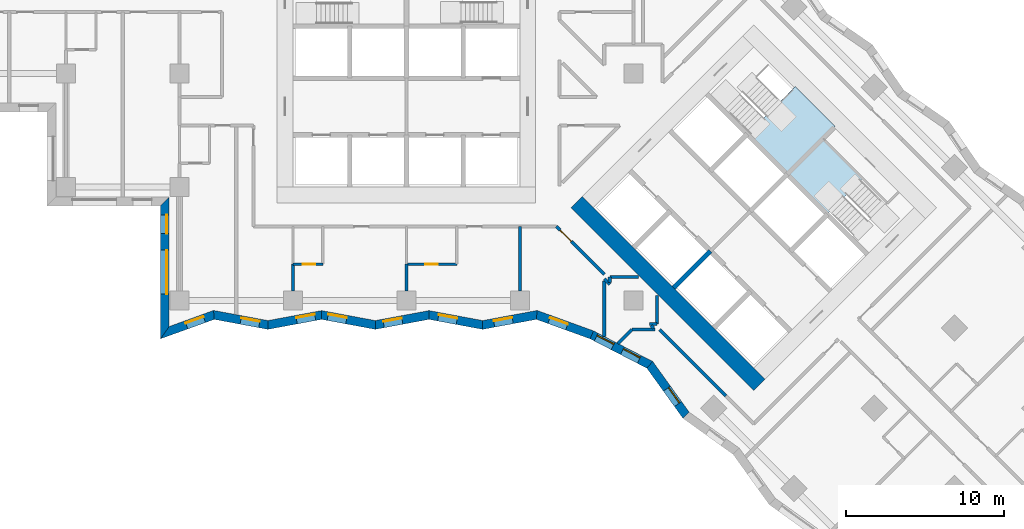
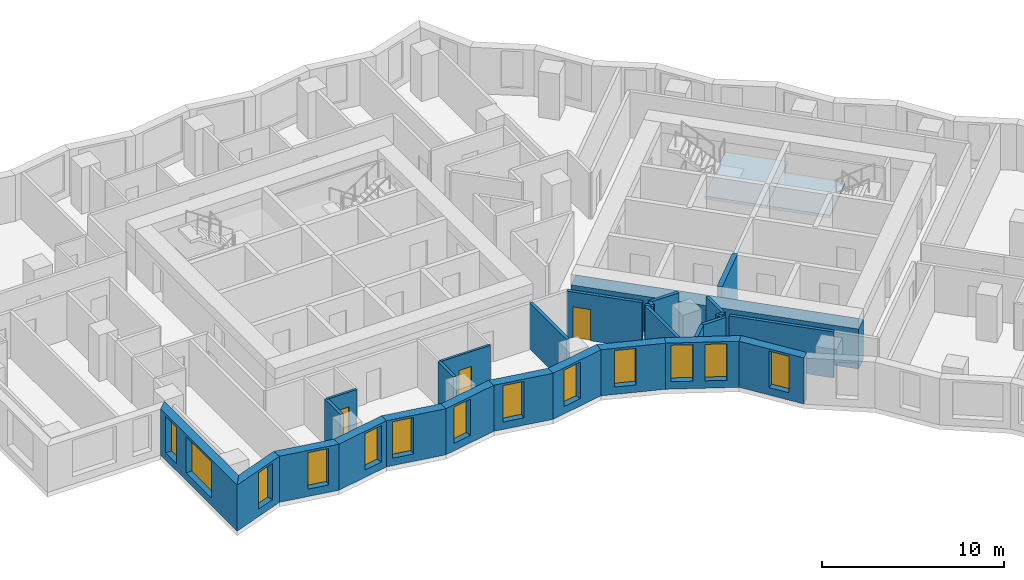
# One storey, part 2 of 13: 29 walls, 13 windows, 3 doors, 2 slabs, 16 openings, 2 elements without a shape of their own.
"""IFC4 building model written with IfcOpenShell, lengths in metres."""

from ifc_helpers import new_model, si_unit, direction, frame, frame_2d, origin, place, context, subcontext, project, spatial, polyline, rectangle, outline, extrude, material, layer, layer_set, type_object, element, fill, aggregate, save


model = new_model("IFC4")

# Units and contexts
model_context = context("Model", 3, precision=1e-05, world=origin(), true_north=direction((0.0, 1.0)))
body_context = subcontext(model_context, "Body", "Model", "MODEL_VIEW")
ifc_project = project(units=[si_unit("LENGTHUNIT", "METRE"), si_unit("AREAUNIT", "SQUARE_METRE"), si_unit("VOLUMEUNIT", "CUBIC_METRE"), si_unit("PLANEANGLEUNIT", "RADIAN"), si_unit("MASSUNIT", "GRAM", prefix="KILO")], contexts=[model_context])

# Site, building, storey
site_placement = place(None, origin())
site = spatial("IfcSite", under=ifc_project, at=site_placement, CompositionType="ELEMENT")
building_placement = place(site_placement, origin())
building = spatial("IfcBuilding", under=site, at=building_placement, Name="Windrow Commons", CompositionType="ELEMENT")
storey_placement = place(building_placement, frame((0.0, 0.0, 64.4)))
storey = spatial("IfcBuildingStorey", under=building, at=storey_placement, Name="L17", CompositionType="ELEMENT", Elevation=64.4)

# Stair, slab
ifc_material_1 = material(Name="Concrete C40/50", Category="concrete")
stair_type = type_object("IfcStairType", Name="Core stair", PredefinedType="HALF_TURN_STAIR", material=ifc_material_1)
placement_1 = place(storey_placement, origin())
stair_1 = element("IfcStair", 1, at=placement_1, inside=storey, type_object=stair_type, Name="L17 Exit stair B1 core B", PredefinedType="HALF_TURN_STAIR")
ifc_material_2 = material(Name="Concrete C40/50", Category="concrete")
ifc_layer_1 = layer(ifc_material_2, 0.2)
ifc_layer_set_1 = layer_set([ifc_layer_1], Name="Core stair landing")
slab_type = type_object("IfcSlabType", Name="Core stair landing", PredefinedType="LANDING", material=ifc_layer_set_1)
placement_2 = place(storey_placement, frame((0.0, 0.0, 1.5)))
slab_1 = element("IfcSlab", 2, at=placement_2, type_object=slab_type, Name="ST-B1 landing 1", PredefinedType="LANDING", context=body_context, shape_type="SweptSolid", body=[
    extrude(outline(polyline([(86.3559, 53.6718), (88.8874, 51.1403), (91.9986, 54.2516), (89.4672, 56.7831), (86.3559, 53.6718)])), origin(), (0.0, 0.0, 1.0), 0.2),
])
aggregate(stair_1, [slab_1])

stair_2 = element("IfcStair", 3, at=placement_1, inside=storey, type_object=stair_type, Name="L17 Exit stair B2 core B", PredefinedType="HALF_TURN_STAIR")
slab_2 = element("IfcSlab", 4, at=placement_2, type_object=slab_type, Name="ST-B2 landing 1", PredefinedType="LANDING", context=body_context, shape_type="SweptSolid", body=[
    extrude(outline(polyline([(88.8874, 51.1403), (91.4188, 48.6089), (93.7911, 50.9812), (91.2597, 53.5127), (88.8874, 51.1403)])), origin(), (0.0, 0.0, 1.0), 0.2),
])
aggregate(stair_2, [slab_2])

# Wall, openings, windows
ifc_material_3 = material(Name="Brick masonry, red clay brick", Category="masonry")
ifc_layer_2 = layer(ifc_material_3, 0.55)
ifc_layer_set_2 = layer_set([ifc_layer_2], Name="Brick facade wall 550")
wall_type_1 = type_object("IfcWallType", Name="Brick facade wall 550", PredefinedType="SOLIDWALL", material=ifc_layer_set_2)
wall_1_placement = place(storey_placement, frame((49.475, 49.475, 0.0), z_axis=(0.0, 0.0, 1.0), x_axis=(0.0, -1.0, 0.0)))
wall_1 = element("IfcWall", 5, at=wall_1_placement, inside=storey, type_object=wall_type_1, Name="Brick facade wall L17 45", PredefinedType="SOLIDWALL", context=body_context, shape_type="SweptSolid", body=[
    extrude(outline(polyline([(0.275, -0.275), (8.708, -0.275), (7.924, 0.275), (-0.275, 0.275), (0.275, -0.275)])), origin(), (0.0, 0.0, 1.0), 3.1),
])
opening_1_placement = place(wall_1_placement, frame((3.075, 0.0, 0.5)))
opening_1 = element("IfcOpeningElement", 6, at=opening_1_placement, cuts=wall_1, Name="Opening W1T", PredefinedType="OPENING", context=body_context, shape_type="SweptSolid", body=[
    extrude(rectangle(XDim=2.8, YDim=2.45, at=frame_2d((1.4, 1.225))), frame((0.0, 0.285, 0.0), z_axis=(0.0, -1.0, 0.0), x_axis=(1.0, 0.0, 0.0)), (0.0, 0.0, 1.0), 0.57),
])
opening_2_placement = place(wall_1_placement, frame((0.8375, 0.0, 0.5)))
opening_2 = element("IfcOpeningElement", 7, at=opening_2_placement, cuts=wall_1, Name="Opening W7D", PredefinedType="OPENING", context=body_context, shape_type="SweptSolid", body=[
    extrude(rectangle(XDim=1.2, YDim=2.45, at=frame_2d((0.6, 1.225))), frame((0.0, 0.285, 0.0), z_axis=(0.0, -1.0, 0.0), x_axis=(1.0, 0.0, 0.0)), (0.0, 0.0, 1.0), 0.57),
])
ifc_material_4 = material(Name="Clear float glass in anodised aluminium frame", Category="aluminium")
window_type_1 = type_object("IfcWindowType", Name="Window W1T bedroom 2800x2450", PartitioningType="SINGLE_PANEL", PredefinedType="WINDOW", material=ifc_material_4)
window_1_placement = place(opening_1_placement, origin())
window_1 = element("IfcWindow", 8, at=window_1_placement, inside=storey, type_object=window_type_1, Name="Window L17 45.1", OverallHeight=2.45, OverallWidth=2.8, PartitioningType="SINGLE_PANEL", PredefinedType="WINDOW", context=body_context, shape_type="SweptSolid", body=[
    extrude(rectangle(XDim=2.8, YDim=2.45, at=frame_2d((1.4, 1.225))), frame((0.0, 0.155, 0.0), z_axis=(0.0, -1.0, 0.0), x_axis=(1.0, 0.0, 0.0)), (0.0, 0.0, 1.0), 0.06),
])
fill(opening_1, window_1)
ifc_material_5 = material(Name="Clear float glass in anodised aluminium frame", Category="aluminium")
window_type_2 = type_object("IfcWindowType", Name="Window W7 notch 1200x2450", PartitioningType="SINGLE_PANEL", PredefinedType="WINDOW", material=ifc_material_5)
window_2_placement = place(opening_2_placement, origin())
window_2 = element("IfcWindow", 9, at=window_2_placement, inside=storey, type_object=window_type_2, Name="Window L17 45.2", OverallHeight=2.45, OverallWidth=1.2, PartitioningType="SINGLE_PANEL", PredefinedType="WINDOW", context=body_context, shape_type="SweptSolid", body=[
    extrude(rectangle(XDim=1.2, YDim=2.45, at=frame_2d((0.6, 1.225))), frame((0.0, 0.155, 0.0), z_axis=(0.0, -1.0, 0.0), x_axis=(1.0, 0.0, 0.0)), (0.0, 0.0, 1.0), 0.06),
])
fill(opening_2, window_2)

# Wall, opening, window
wall_2_placement = place(storey_placement, frame((49.475, 41.159, 0.0), z_axis=(0.0, 0.0, 1.0), x_axis=(0.9402923967, 0.3403677552, 0.0)))
wall_2 = element("IfcWall", 10, at=wall_2_placement, inside=storey, type_object=wall_type_1, Name="Brick facade wall L17 46", PredefinedType="SOLIDWALL", context=body_context, shape_type="SweptSolid", body=[
    extrude(outline(polyline([(-0.392, -0.275), (3.2305, -0.275), (3.38, 0.275), (0.392, 0.275), (-0.392, -0.275)])), origin(), (0.0, 0.0, 1.0), 3.1),
])
opening_3_placement = place(wall_2_placement, frame((1.4445, 0.0, 0.5)))
opening_3 = element("IfcOpeningElement", 11, at=opening_3_placement, cuts=wall_2, Name="Opening W7D", PredefinedType="OPENING", context=body_context, shape_type="SweptSolid", body=[
    extrude(rectangle(XDim=1.2, YDim=2.45, at=frame_2d((0.6, 1.225))), frame((0.0, 0.285, 0.0), z_axis=(0.0, -1.0, 0.0), x_axis=(1.0, 0.0, 0.0)), (0.0, 0.0, 1.0), 0.57),
])
window_3_placement = place(opening_3_placement, origin())
window_3 = element("IfcWindow", 12, at=window_3_placement, inside=storey, type_object=window_type_2, Name="Window L17 46.1", OverallHeight=2.45, OverallWidth=1.2, PartitioningType="SINGLE_PANEL", PredefinedType="WINDOW", context=body_context, shape_type="SweptSolid", body=[
    extrude(rectangle(XDim=1.2, YDim=2.45, at=frame_2d((0.6, 1.225))), frame((0.0, 0.155, 0.0), z_axis=(0.0, -1.0, 0.0), x_axis=(1.0, 0.0, 0.0)), (0.0, 0.0, 1.0), 0.06),
])
fill(opening_3, window_3)

wall_3_placement = place(storey_placement, frame((52.5829, 42.284, 0.0), z_axis=(0.0, 0.0, 1.0), x_axis=(0.9831685115, -0.1827010621, 0.0)))
wall_3 = element("IfcWall", 13, at=wall_3_placement, inside=storey, type_object=wall_type_1, Name="Brick facade wall L17 47", PredefinedType="SOLIDWALL", context=body_context, shape_type="SweptSolid", body=[
    extrude(outline(polyline([(0.0748, -0.275), (3.5393, -0.275), (3.4371, 0.275), (-0.0748, 0.275), (0.0748, -0.275)])), origin(), (0.0, 0.0, 1.0), 3.1),
])
opening_4_placement = place(wall_3_placement, frame((1.7392, 0.0, 0.5)))
opening_4 = element("IfcOpeningElement", 14, at=opening_4_placement, cuts=wall_3, Name="Opening W7D", PredefinedType="OPENING", context=body_context, shape_type="SweptSolid", body=[
    extrude(rectangle(XDim=1.2, YDim=2.45, at=frame_2d((0.6, 1.225))), frame((0.0, 0.285, 0.0), z_axis=(0.0, -1.0, 0.0), x_axis=(1.0, 0.0, 0.0)), (0.0, 0.0, 1.0), 0.57),
])
window_4_placement = place(opening_4_placement, origin())
window_4 = element("IfcWindow", 15, at=window_4_placement, inside=storey, type_object=window_type_2, Name="Window L17 47.1", OverallHeight=2.45, OverallWidth=1.2, PartitioningType="SINGLE_PANEL", PredefinedType="WINDOW", context=body_context, shape_type="SweptSolid", body=[
    extrude(rectangle(XDim=1.2, YDim=2.45, at=frame_2d((0.6, 1.225))), frame((0.0, 0.155, 0.0), z_axis=(0.0, -1.0, 0.0), x_axis=(1.0, 0.0, 0.0)), (0.0, 0.0, 1.0), 0.06),
])
fill(opening_4, window_4)

wall_4_placement = place(storey_placement, frame((56.0124, 41.6467, 0.0), z_axis=(0.0, 0.0, 1.0), x_axis=(0.9831660022, 0.1827145649, 0.0)))
wall_4 = element("IfcWall", 16, at=wall_4_placement, inside=storey, type_object=wall_type_1, Name="Brick facade wall L17 48", PredefinedType="SOLIDWALL", context=body_context, shape_type="SweptSolid", body=[
    extrude(outline(polyline([(-0.0511, -0.275), (3.4134, -0.275), (3.5156, 0.275), (0.0511, 0.275), (-0.0511, -0.275)])), origin(), (0.0, 0.0, 1.0), 3.1),
])
opening_5_placement = place(wall_4_placement, frame((1.8397, 0.0, 0.5)))
opening_5 = element("IfcOpeningElement", 17, at=opening_5_placement, cuts=wall_4, Name="Opening W7D", PredefinedType="OPENING", context=body_context, shape_type="SweptSolid", body=[
    extrude(rectangle(XDim=1.2, YDim=2.45, at=frame_2d((0.6, 1.225))), frame((0.0, 0.285, 0.0), z_axis=(0.0, -1.0, 0.0), x_axis=(1.0, 0.0, 0.0)), (0.0, 0.0, 1.0), 0.57),
])
window_5_placement = place(opening_5_placement, origin())
window_5 = element("IfcWindow", 18, at=window_5_placement, inside=storey, type_object=window_type_2, Name="Window L17 48.1", OverallHeight=2.45, OverallWidth=1.2, PartitioningType="SINGLE_PANEL", PredefinedType="WINDOW", context=body_context, shape_type="SweptSolid", body=[
    extrude(rectangle(XDim=1.2, YDim=2.45, at=frame_2d((0.6, 1.225))), frame((0.0, 0.155, 0.0), z_axis=(0.0, -1.0, 0.0), x_axis=(1.0, 0.0, 0.0)), (0.0, 0.0, 1.0), 0.06),
])
fill(opening_5, window_5)

wall_5_placement = place(storey_placement, frame((59.4185, 42.2797, 0.0), z_axis=(0.0, 0.0, 1.0), x_axis=(0.9831669658, -0.1827093798, 0.0)))
wall_5 = element("IfcWall", 19, at=wall_5_placement, inside=storey, type_object=wall_type_1, Name="Brick facade wall L17 49", PredefinedType="SOLIDWALL", context=body_context, shape_type="SweptSolid", body=[
    extrude(outline(polyline([(0.0511, -0.275), (3.5156, -0.275), (3.4134, 0.275), (-0.0511, 0.275), (0.0511, -0.275)])), origin(), (0.0, 0.0, 1.0), 3.1),
])
opening_6_placement = place(wall_5_placement, frame((0.406, 0.0, 0.5)))
opening_6 = element("IfcOpeningElement", 20, at=opening_6_placement, cuts=wall_5, Name="Opening W7D", PredefinedType="OPENING", context=body_context, shape_type="SweptSolid", body=[
    extrude(rectangle(XDim=1.2, YDim=2.45, at=frame_2d((0.6, 1.225))), frame((0.0, 0.285, 0.0), z_axis=(0.0, -1.0, 0.0), x_axis=(1.0, 0.0, 0.0)), (0.0, 0.0, 1.0), 0.57),
])
window_6_placement = place(opening_6_placement, origin())
window_6 = element("IfcWindow", 21, at=window_6_placement, inside=storey, type_object=window_type_2, Name="Window L17 49.1", OverallHeight=2.45, OverallWidth=1.2, PartitioningType="SINGLE_PANEL", PredefinedType="WINDOW", context=body_context, shape_type="SweptSolid", body=[
    extrude(rectangle(XDim=1.2, YDim=2.45, at=frame_2d((0.6, 1.225))), frame((0.0, 0.155, 0.0), z_axis=(0.0, -1.0, 0.0), x_axis=(1.0, 0.0, 0.0)), (0.0, 0.0, 1.0), 0.06),
])
fill(opening_6, window_6)

wall_6_placement = place(storey_placement, frame((62.8247, 41.6467, 0.0), z_axis=(0.0, 0.0, 1.0), x_axis=(0.9831669658, 0.1827093798, 0.0)))
wall_6 = element("IfcWall", 22, at=wall_6_placement, inside=storey, type_object=wall_type_1, Name="Brick facade wall L17 50", PredefinedType="SOLIDWALL", context=body_context, shape_type="SweptSolid", body=[
    extrude(outline(polyline([(-0.0511, -0.275), (3.4134, -0.275), (3.5156, 0.275), (0.0511, 0.275), (-0.0511, -0.275)])), origin(), (0.0, 0.0, 1.0), 3.1),
])
opening_7_placement = place(wall_6_placement, frame((0.5301, 0.0, 0.5)))
opening_7 = element("IfcOpeningElement", 23, at=opening_7_placement, cuts=wall_6, Name="Opening W7D", PredefinedType="OPENING", context=body_context, shape_type="SweptSolid", body=[
    extrude(rectangle(XDim=1.2, YDim=2.45, at=frame_2d((0.6, 1.225))), frame((0.0, 0.285, 0.0), z_axis=(0.0, -1.0, 0.0), x_axis=(1.0, 0.0, 0.0)), (0.0, 0.0, 1.0), 0.57),
])
window_7_placement = place(opening_7_placement, origin())
window_7 = element("IfcWindow", 24, at=window_7_placement, inside=storey, type_object=window_type_2, Name="Window L17 50.1", OverallHeight=2.45, OverallWidth=1.2, PartitioningType="SINGLE_PANEL", PredefinedType="WINDOW", context=body_context, shape_type="SweptSolid", body=[
    extrude(rectangle(XDim=1.2, YDim=2.45, at=frame_2d((0.6, 1.225))), frame((0.0, 0.155, 0.0), z_axis=(0.0, -1.0, 0.0), x_axis=(1.0, 0.0, 0.0)), (0.0, 0.0, 1.0), 0.06),
])
fill(opening_7, window_7)

wall_7_placement = place(storey_placement, frame((66.2309, 42.2797, 0.0), z_axis=(0.0, 0.0, 1.0), x_axis=(0.9831669658, -0.1827093798, 0.0)))
wall_7 = element("IfcWall", 25, at=wall_7_placement, inside=storey, type_object=wall_type_1, Name="Brick facade wall L17 51", PredefinedType="SOLIDWALL", context=body_context, shape_type="SweptSolid", body=[
    extrude(outline(polyline([(0.0511, -0.275), (3.5156, -0.275), (3.4134, 0.275), (-0.0511, 0.275), (0.0511, -0.275)])), origin(), (0.0, 0.0, 1.0), 3.1),
])
opening_8_placement = place(wall_7_placement, frame((0.6031, 0.0, 0.5)))
opening_8 = element("IfcOpeningElement", 26, at=opening_8_placement, cuts=wall_7, Name="Opening W7D", PredefinedType="OPENING", context=body_context, shape_type="SweptSolid", body=[
    extrude(rectangle(XDim=1.2, YDim=2.45, at=frame_2d((0.6, 1.225))), frame((0.0, 0.285, 0.0), z_axis=(0.0, -1.0, 0.0), x_axis=(1.0, 0.0, 0.0)), (0.0, 0.0, 1.0), 0.57),
])
window_8_placement = place(opening_8_placement, origin())
window_8 = element("IfcWindow", 27, at=window_8_placement, inside=storey, type_object=window_type_2, Name="Window L17 51.1", OverallHeight=2.45, OverallWidth=1.2, PartitioningType="SINGLE_PANEL", PredefinedType="WINDOW", context=body_context, shape_type="SweptSolid", body=[
    extrude(rectangle(XDim=1.2, YDim=2.45, at=frame_2d((0.6, 1.225))), frame((0.0, 0.155, 0.0), z_axis=(0.0, -1.0, 0.0), x_axis=(1.0, 0.0, 0.0)), (0.0, 0.0, 1.0), 0.06),
])
fill(opening_8, window_8)

wall_8_placement = place(storey_placement, frame((69.6371, 41.6467, 0.0), z_axis=(0.0, 0.0, 1.0), x_axis=(0.9831675545, 0.1827062117, 0.0)))
wall_8 = element("IfcWall", 28, at=wall_8_placement, inside=storey, type_object=wall_type_1, Name="Brick facade wall L17 52", PredefinedType="SOLIDWALL", context=body_context, shape_type="SweptSolid", body=[
    extrude(outline(polyline([(-0.0511, -0.275), (3.4134, -0.275), (3.563, 0.275), (0.0511, 0.275), (-0.0511, -0.275)])), origin(), (0.0, 0.0, 1.0), 3.1),
])
opening_9_placement = place(wall_8_placement, frame((0.7272, 0.0, 0.5)))
opening_9 = element("IfcOpeningElement", 29, at=opening_9_placement, cuts=wall_8, Name="Opening W7D", PredefinedType="OPENING", context=body_context, shape_type="SweptSolid", body=[
    extrude(rectangle(XDim=1.2, YDim=2.45, at=frame_2d((0.6, 1.225))), frame((0.0, 0.285, 0.0), z_axis=(0.0, -1.0, 0.0), x_axis=(1.0, 0.0, 0.0)), (0.0, 0.0, 1.0), 0.57),
])
window_9_placement = place(opening_9_placement, origin())
window_9 = element("IfcWindow", 30, at=window_9_placement, inside=storey, type_object=window_type_2, Name="Window L17 52.1", OverallHeight=2.45, OverallWidth=1.2, PartitioningType="SINGLE_PANEL", PredefinedType="WINDOW", context=body_context, shape_type="SweptSolid", body=[
    extrude(rectangle(XDim=1.2, YDim=2.45, at=frame_2d((0.6, 1.225))), frame((0.0, 0.155, 0.0), z_axis=(0.0, -1.0, 0.0), x_axis=(1.0, 0.0, 0.0)), (0.0, 0.0, 1.0), 0.06),
])
fill(opening_9, window_9)

wall_9_placement = place(storey_placement, frame((73.0665, 42.284, 0.0), z_axis=(0.0, 0.0, 1.0), x_axis=(0.940296151, -0.3403573833, 0.0)))
wall_9 = element("IfcWall", 31, at=wall_9_placement, inside=storey, type_object=wall_type_1, Name="Brick facade wall L17 53", PredefinedType="SOLIDWALL", context=body_context, shape_type="SweptSolid", body=[
    extrude(outline(polyline([(0.0748, -0.275), (3.6973, -0.275), (3.7331, 0.275), (-0.0748, 0.275), (0.0748, -0.275)])), origin(), (0.0, 0.0, 1.0), 3.1),
])
opening_10_placement = place(wall_9_placement, frame((0.8472, 0.0, 0.5)))
opening_10 = element("IfcOpeningElement", 32, at=opening_10_placement, cuts=wall_9, Name="Opening W7D", PredefinedType="OPENING", context=body_context, shape_type="SweptSolid", body=[
    extrude(rectangle(XDim=1.2, YDim=2.45, at=frame_2d((0.6, 1.225))), frame((0.0, 0.285, 0.0), z_axis=(0.0, -1.0, 0.0), x_axis=(1.0, 0.0, 0.0)), (0.0, 0.0, 1.0), 0.57),
])
window_10_placement = place(opening_10_placement, origin())
window_10 = element("IfcWindow", 33, at=window_10_placement, inside=storey, type_object=window_type_2, Name="Window L17 53.1", OverallHeight=2.45, OverallWidth=1.2, PartitioningType="SINGLE_PANEL", PredefinedType="WINDOW", context=body_context, shape_type="SweptSolid", body=[
    extrude(rectangle(XDim=1.2, YDim=2.45, at=frame_2d((0.6, 1.225))), frame((0.0, 0.155, 0.0), z_axis=(0.0, -1.0, 0.0), x_axis=(1.0, 0.0, 0.0)), (0.0, 0.0, 1.0), 0.06),
])
fill(opening_10, window_10)

# Wall, openings, windows
wall_10_placement = place(storey_placement, frame((76.5599, 41.0195, 0.0), z_axis=(0.0, 0.0, 1.0), x_axis=(0.8882037094, -0.4594498564, 0.0)))
wall_10 = element("IfcWall", 34, at=wall_10_placement, inside=storey, type_object=wall_type_1, Name="Brick facade wall L17 54", PredefinedType="SOLIDWALL", context=body_context, shape_type="SweptSolid", body=[
    extrude(outline(polyline([(0.0179, -0.275), (4.0748, -0.275), (4.2064, 0.275), (-0.0179, 0.275), (0.0179, -0.275)])), origin(), (0.0, 0.0, 1.0), 3.1),
])
opening_11_placement = place(wall_10_placement, frame((0.3187, 0.0, 0.5)))
opening_11 = element("IfcOpeningElement", 35, at=opening_11_placement, cuts=wall_10, Name="Opening W7D", PredefinedType="OPENING", context=body_context, shape_type="SweptSolid", body=[
    extrude(rectangle(XDim=1.2, YDim=2.45, at=frame_2d((0.6, 1.225))), frame((0.0, 0.285, 0.0), z_axis=(0.0, -1.0, 0.0), x_axis=(1.0, 0.0, 0.0)), (0.0, 0.0, 1.0), 0.57),
])
opening_12_placement = place(wall_10_placement, frame((2.189, 0.0, 0.5)))
opening_12 = element("IfcOpeningElement", 36, at=opening_12_placement, cuts=wall_10, Name="Opening W7D", PredefinedType="OPENING", context=body_context, shape_type="SweptSolid", body=[
    extrude(rectangle(XDim=1.2, YDim=2.45, at=frame_2d((0.6, 1.225))), frame((0.0, 0.285, 0.0), z_axis=(0.0, -1.0, 0.0), x_axis=(1.0, 0.0, 0.0)), (0.0, 0.0, 1.0), 0.57),
])
window_11_placement = place(opening_11_placement, origin())
window_11 = element("IfcWindow", 37, at=window_11_placement, inside=storey, type_object=window_type_2, Name="Window L17 54.1", OverallHeight=2.45, OverallWidth=1.2, PartitioningType="SINGLE_PANEL", PredefinedType="WINDOW", context=body_context, shape_type="SweptSolid", body=[
    extrude(rectangle(XDim=1.2, YDim=2.45, at=frame_2d((0.6, 1.225))), frame((0.0, 0.155, 0.0), z_axis=(0.0, -1.0, 0.0), x_axis=(1.0, 0.0, 0.0)), (0.0, 0.0, 1.0), 0.06),
])
fill(opening_11, window_11)
window_12_placement = place(opening_12_placement, origin())
window_12 = element("IfcWindow", 38, at=window_12_placement, inside=storey, type_object=window_type_2, Name="Window L17 54.2", OverallHeight=2.45, OverallWidth=1.2, PartitioningType="SINGLE_PANEL", PredefinedType="WINDOW", context=body_context, shape_type="SweptSolid", body=[
    extrude(rectangle(XDim=1.2, YDim=2.45, at=frame_2d((0.6, 1.225))), frame((0.0, 0.155, 0.0), z_axis=(0.0, -1.0, 0.0), x_axis=(1.0, 0.0, 0.0)), (0.0, 0.0, 1.0), 0.06),
])
fill(opening_12, window_12)

# Wall, opening, window
wall_11_placement = place(storey_placement, frame((80.2376, 39.1171, 0.0), z_axis=(0.0, 0.0, 1.0), x_axis=(0.5841722606, -0.8116297, 0.0)))
wall_11 = element("IfcWall", 39, at=wall_11_placement, inside=storey, type_object=wall_type_1, Name="Brick facade wall L17 55", PredefinedType="SOLIDWALL", context=body_context, shape_type="SweptSolid", body=[
    extrude(outline(polyline([(0.0658, -0.275), (3.9828, -0.275), (3.8931, 0.275), (-0.0658, 0.275), (0.0658, -0.275)])), origin(), (0.0, 0.0, 1.0), 3.1),
])
opening_13_placement = place(wall_11_placement, frame((1.8619, 0.0, 0.5)))
opening_13 = element("IfcOpeningElement", 40, at=opening_13_placement, cuts=wall_11, Name="Opening W7D", PredefinedType="OPENING", context=body_context, shape_type="SweptSolid", body=[
    extrude(rectangle(XDim=1.2, YDim=2.45, at=frame_2d((0.6, 1.225))), frame((0.0, 0.285, 0.0), z_axis=(0.0, -1.0, 0.0), x_axis=(1.0, 0.0, 0.0)), (0.0, 0.0, 1.0), 0.57),
])
window_13_placement = place(opening_13_placement, origin())
window_13 = element("IfcWindow", 41, at=window_13_placement, inside=storey, type_object=window_type_2, Name="Window L17 55.1", OverallHeight=2.45, OverallWidth=1.2, PartitioningType="SINGLE_PANEL", PredefinedType="WINDOW", context=body_context, shape_type="SweptSolid", body=[
    extrude(rectangle(XDim=1.2, YDim=2.45, at=frame_2d((0.6, 1.225))), frame((0.0, 0.155, 0.0), z_axis=(0.0, -1.0, 0.0), x_axis=(1.0, 0.0, 0.0)), (0.0, 0.0, 1.0), 0.06),
])
fill(opening_13, window_13)

# Wall
ifc_material_6 = material(Name="Blockwork partition", Category="masonry")
ifc_layer_3 = layer(ifc_material_6, 0.2)
ifc_layer_set_3 = layer_set([ifc_layer_3], Name="IW-CORRIDOR-200")
wall_type_2 = type_object("IfcWallType", Name="IW-CORRIDOR-200", PredefinedType="PARTITIONING", material=ifc_layer_set_3)
wall_12_placement = place(storey_placement, frame((85.0698, 37.1418, 0.0), z_axis=(0.0, 0.0, 1.0), x_axis=(-0.7070899851, 0.7071235769, 0.0)))
element("IfcWall", 42, at=wall_12_placement, inside=storey, type_object=wall_type_2, Name="W-L17-W031", PredefinedType="PARTITIONING", context=body_context, shape_type="SweptSolid", body=[
    extrude(rectangle(XDim=5.9538, YDim=0.2, at=frame_2d((2.9769, 0.0))), origin(), (0.0, 0.0, 1.0), 3.1),
])

# Wall, opening, door
wall_13_placement = place(storey_placement, frame((74.3051, 47.8971, 0.0), z_axis=(0.0, 0.0, 1.0), x_axis=(0.7071067812, -0.7071067812, 0.0)))
wall_13 = element("IfcWall", 43, at=wall_13_placement, inside=storey, type_object=wall_type_2, Name="W-L17-W045", PredefinedType="PARTITIONING", context=body_context, shape_type="SweptSolid", body=[
    extrude(rectangle(XDim=4.302, YDim=0.2, at=frame_2d((2.151, 0.0))), origin(), (0.0, 0.0, 1.0), 3.1),
])
opening_14_placement = place(wall_13_placement, frame((0.3446, 0.0, 0.0)))
opening_14 = element("IfcOpeningElement", 44, at=opening_14_placement, cuts=wall_13, Name="Opening D310F", PredefinedType="OPENING", context=body_context, shape_type="SweptSolid", body=[
    extrude(rectangle(XDim=1.0, YDim=2.1, at=frame_2d((0.5, 1.05))), frame((0.0, 0.11, 0.0), z_axis=(0.0, -1.0, 0.0), x_axis=(1.0, 0.0, 0.0)), (0.0, 0.0, 1.0), 0.22),
])
ifc_material_7 = material(Name="Timber door leaf", Category="wood")
door_type_1 = type_object("IfcDoorType", Name="DT-AMENITY-1000", OperationType="SINGLE_SWING_LEFT", PredefinedType="DOOR", material=ifc_material_7)
door_1_placement = place(opening_14_placement, origin())
door_1 = element("IfcDoor", 45, at=door_1_placement, inside=storey, type_object=door_type_1, Name="D-L17-D033", OperationType="SINGLE_SWING_LEFT", OverallHeight=2.1, OverallWidth=1.0, PredefinedType="DOOR", context=body_context, shape_type="SweptSolid", body=[
    extrude(rectangle(XDim=1.0, YDim=2.1, at=frame_2d((0.5, 1.05))), frame((0.0, 0.025, 0.0), z_axis=(0.0, -1.0, 0.0), x_axis=(1.0, 0.0, 0.0)), (0.0, 0.0, 1.0), 0.05),
])
fill(opening_14, door_1)

# Walls
for number, where, z_axis, x_axis, name in (
    (46, (77.702, 44.7, 0.0), (0.0, 0.0, 1.0), (1.0, 0.0, 0.0), "W-L17-W128"),
    (47, (80.7, 41.702, 0.0), (0.0, 0.0, 1.0), (0.0, 1.0, 0.0), "W-L17-W129"),
):
    element("IfcWall", number, at=place(storey_placement, frame(where, z_axis=z_axis, x_axis=x_axis)), inside=storey, type_object=wall_type_2, Name=name, PredefinedType="PARTITIONING", context=body_context, shape_type="SweptSolid", body=[
        extrude(rectangle(XDim=1.814, YDim=0.2, at=frame_2d((0.907, 0.0))), origin(), (0.0, 0.0, 1.0), 3.1),
    ])
wall_14_placement = place(storey_placement, frame((77.3467, 44.5727, 0.0), z_axis=(0.0, 0.0, 1.0), x_axis=(0.7071067812, -0.7071067812, 0.0)))
element("IfcWall", 48, at=wall_14_placement, inside=storey, type_object=wall_type_2, Name="W-L17-W163", PredefinedType="PARTITIONING", context=body_context, shape_type="SweptSolid", body=[
    extrude(rectangle(XDim=0.495, YDim=0.2, at=frame_2d((0.2475, 0.0))), origin(), (0.0, 0.0, 1.0), 3.1),
])
wall_15_placement = place(storey_placement, frame((80.3146, 41.6048, 0.0), z_axis=(0.0, 0.0, 1.0), x_axis=(0.7071067812, -0.7071067812, 0.0)))
element("IfcWall", 49, at=wall_15_placement, inside=storey, type_object=wall_type_2, Name="W-L17-W164", PredefinedType="PARTITIONING", context=body_context, shape_type="SweptSolid", body=[
    extrude(rectangle(XDim=0.225, YDim=0.2, at=frame_2d((0.1125, 0.0))), origin(), (0.0, 0.0, 1.0), 3.1),
])
wall_16_placement = place(storey_placement, frame((77.7, 44.356, 0.0), z_axis=(0.0, 0.0, 1.0), x_axis=(0.0, 1.0, 0.0)))
element("IfcWall", 50, at=wall_16_placement, inside=storey, type_object=wall_type_2, Name="W-L17-W165", PredefinedType="PARTITIONING", context=body_context, shape_type="SweptSolid", body=[
    extrude(rectangle(XDim=0.344, YDim=0.2, at=frame_2d((0.172, 0.0))), origin(), (0.0, 0.0, 1.0), 3.1),
])
wall_17_placement = place(storey_placement, frame((80.226, 41.7, 0.0), z_axis=(0.0, 0.0, 1.0), x_axis=(1.0, 0.0, 0.0)))
element("IfcWall", 51, at=wall_17_placement, inside=storey, type_object=wall_type_2, Name="W-L17-W166", PredefinedType="PARTITIONING", context=body_context, shape_type="SweptSolid", body=[
    extrude(rectangle(XDim=0.474, YDim=0.2, at=frame_2d((0.237, 0.0))), origin(), (0.0, 0.0, 1.0), 3.1),
])

# Wall, opening, door
ifc_material_8 = material(Name="Blockwork partition", Category="masonry")
ifc_layer_4 = layer(ifc_material_8, 0.15)
ifc_layer_set_4 = layer_set([ifc_layer_4], Name="IW-ENSUITE-150")
wall_type_3 = type_object("IfcWallType", Name="IW-ENSUITE-150", PredefinedType="PARTITIONING", material=ifc_layer_set_4)
wall_18_placement = place(storey_placement, frame((64.8, 45.5, 0.0), z_axis=(0.0, 0.0, 1.0), x_axis=(1.0, 0.0, 0.0)))
wall_18 = element("IfcWall", 52, at=wall_18_placement, inside=storey, type_object=wall_type_3, Name="W-L17-W059", PredefinedType="PARTITIONING", context=body_context, shape_type="SweptSolid", body=[
    extrude(rectangle(XDim=3.2, YDim=0.15, at=frame_2d((1.6, 0.0))), origin(), (0.0, 0.0, 1.0), 3.1),
])
opening_15_placement = place(wall_18_placement, frame((1.1958, 0.0, 0.0)))
opening_15 = element("IfcOpeningElement", 53, at=opening_15_placement, cuts=wall_18, Name="Opening D208N", PredefinedType="OPENING", context=body_context, shape_type="SweptSolid", body=[
    extrude(rectangle(XDim=0.8, YDim=2.1, at=frame_2d((0.4, 1.05))), frame((0.0, 0.085, 0.0), z_axis=(0.0, -1.0, 0.0), x_axis=(1.0, 0.0, 0.0)), (0.0, 0.0, 1.0), 0.17),
])
ifc_material_9 = material(Name="Timber door leaf", Category="wood")
door_type_2 = type_object("IfcDoorType", Name="DT-ENSUITE-800", OperationType="SINGLE_SWING_LEFT", PredefinedType="DOOR", material=ifc_material_9)
door_2_placement = place(opening_15_placement, origin())
door_2 = element("IfcDoor", 54, at=door_2_placement, inside=storey, type_object=door_type_2, Name="D-L17-D032", OperationType="SINGLE_SWING_RIGHT", OverallHeight=2.1, OverallWidth=0.8, PredefinedType="DOOR", context=body_context, shape_type="SweptSolid", body=[
    extrude(rectangle(XDim=0.8, YDim=2.1, at=frame_2d((0.4, 1.05))), frame((0.0, 0.025, 0.0), z_axis=(0.0, -1.0, 0.0), x_axis=(1.0, 0.0, 0.0)), (0.0, 0.0, 1.0), 0.05),
])
fill(opening_15, door_2)

wall_19_placement = place(storey_placement, frame((57.6, 45.5, 0.0), z_axis=(0.0, 0.0, 1.0), x_axis=(1.0, 0.0, 0.0)))
wall_19 = element("IfcWall", 55, at=wall_19_placement, inside=storey, type_object=wall_type_3, Name="W-L17-W124", PredefinedType="PARTITIONING", context=body_context, shape_type="SweptSolid", body=[
    extrude(rectangle(XDim=1.9, YDim=0.15, at=frame_2d((0.95, 0.0))), origin(), (0.0, 0.0, 1.0), 3.1),
])
opening_16_placement = place(wall_19_placement, frame((0.6069, 0.0, 0.0)))
opening_16 = element("IfcOpeningElement", 56, at=opening_16_placement, cuts=wall_19, Name="Opening D208N", PredefinedType="OPENING", context=body_context, shape_type="SweptSolid", body=[
    extrude(rectangle(XDim=0.8, YDim=2.1, at=frame_2d((0.4, 1.05))), frame((0.0, 0.085, 0.0), z_axis=(0.0, -1.0, 0.0), x_axis=(1.0, 0.0, 0.0)), (0.0, 0.0, 1.0), 0.17),
])
door_3_placement = place(opening_16_placement, origin())
door_3 = element("IfcDoor", 57, at=door_3_placement, inside=storey, type_object=door_type_2, Name="D-L17-D030", OperationType="SINGLE_SWING_RIGHT", OverallHeight=2.1, OverallWidth=0.8, PredefinedType="DOOR", context=body_context, shape_type="SweptSolid", body=[
    extrude(rectangle(XDim=0.8, YDim=2.1, at=frame_2d((0.4, 1.05))), frame((0.0, 0.025, 0.0), z_axis=(0.0, -1.0, 0.0), x_axis=(1.0, 0.0, 0.0)), (0.0, 0.0, 1.0), 0.05),
])
fill(opening_16, door_3)

# Walls
ifc_material_10 = material(Name="Blockwork partition", Category="masonry")
ifc_layer_5 = layer(ifc_material_10, 0.2)
ifc_layer_set_5 = layer_set([ifc_layer_5], Name="IW-PARTY-200")
wall_type_4 = type_object("IfcWallType", Name="IW-PARTY-200", PredefinedType="PARTITIONING", material=ifc_layer_set_5)
wall_20_placement = place(storey_placement, frame((72.0, 43.8, 0.0), z_axis=(0.0, 0.0, 1.0), x_axis=(0.0, 1.0, 0.0)))
element("IfcWall", 58, at=wall_20_placement, inside=storey, type_object=wall_type_4, Name="W-L17-W047", PredefinedType="PARTITIONING", context=body_context, shape_type="SweptSolid", body=[
    extrude(rectangle(XDim=4.1, YDim=0.2, at=frame_2d((2.05, 0.0))), origin(), (0.0, 0.0, 1.0), 3.1),
])
wall_21_placement = place(storey_placement, frame((77.35, 40.9204, 0.0), z_axis=(0.0, 0.0, 1.0), x_axis=(0.0, 1.0, 0.0)))
element("IfcWall", 59, at=wall_21_placement, inside=storey, type_object=wall_type_4, Name="W-L17-W054", PredefinedType="PARTITIONING", context=body_context, shape_type="SweptSolid", body=[
    extrude(rectangle(XDim=3.5156, YDim=0.2, at=frame_2d((1.7578, 0.0))), origin(), (0.0, 0.0, 1.0), 3.1),
])
for number, where, z_axis, x_axis, name in (
    (60, (57.6, 43.8, 0.0), (0.0, 0.0, 1.0), (0.0, 1.0, 0.0), "W-L17-W136"),
    (61, (64.8, 43.8, 0.0), (0.0, 0.0, 1.0), (0.0, 1.0, 0.0), "W-L17-W138"),
):
    element("IfcWall", number, at=place(storey_placement, frame(where, z_axis=z_axis, x_axis=x_axis)), inside=storey, type_object=wall_type_4, Name=name, PredefinedType="PARTITIONING", context=body_context, shape_type="SweptSolid", body=[
        extrude(rectangle(XDim=1.7, YDim=0.2, at=frame_2d((0.85, 0.0))), origin(), (0.0, 0.0, 1.0), 3.1),
    ])
wall_22_placement = place(storey_placement, frame((79.098, 41.35, 0.0), z_axis=(0.0, 0.0, 1.0), x_axis=(1.0, 0.0, 0.0)))
element("IfcWall", 62, at=wall_22_placement, inside=storey, type_object=wall_type_4, Name="W-L17-W141", PredefinedType="PARTITIONING", context=body_context, shape_type="SweptSolid", body=[
    extrude(rectangle(XDim=1.478, YDim=0.2, at=frame_2d((0.739, 0.0))), origin(), (0.0, 0.0, 1.0), 3.1),
])
wall_23_placement = place(storey_placement, frame((78.2172, 40.4718, 0.0), z_axis=(0.0, 0.0, 1.0), x_axis=(0.7071067812, 0.7071067812, 0.0)))
element("IfcWall", 63, at=wall_23_placement, inside=storey, type_object=wall_type_4, Name="W-L17-W143", PredefinedType="PARTITIONING", context=body_context, shape_type="SweptSolid", body=[
    extrude(rectangle(XDim=1.2424, YDim=0.2, at=frame_2d((0.6212, 0.0))), origin(), (0.0, 0.0, 1.0), 3.1),
])
ifc_material_11 = material(Name="Concrete C60/75", Category="concrete")
ifc_layer_6 = layer(ifc_material_11, 1.0)
ifc_layer_set_6 = layer_set([ifc_layer_6], Name="RC CORE WALL 1000 C60/75")
wall_type_5 = type_object("IfcWallType", Name="RC CORE WALL 1000 C60/75", PredefinedType="SHEAR", material=ifc_layer_set_6)
wall_24_placement = place(storey_placement, frame((75.5938, 49.4433, -0.3), z_axis=(0.0, 0.0, 1.0), x_axis=(0.7071037324, -0.70710983, 0.0)))
element("IfcWall", 64, at=wall_24_placement, inside=storey, type_object=wall_type_5, Name="Core B wall outer-S", PredefinedType="SHEAR", context=body_context, shape_type="SweptSolid", body=[
    extrude(rectangle(XDim=16.4, YDim=1.0, at=frame_2d((8.2, 0.0))), origin(), (0.0, 0.0, 1.0), 2.7),
])
ifc_material_12 = material(Name="Concrete C60/75", Category="concrete")
ifc_layer_7 = layer(ifc_material_12, 0.3)
ifc_layer_set_7 = layer_set([ifc_layer_7], Name="RC SHAFT WALL 300 C60/75")
wall_type_6 = type_object("IfcWallType", Name="RC SHAFT WALL 300 C60/75", PredefinedType="SOLIDWALL", material=ifc_layer_set_7)
wall_25_placement = place(storey_placement, frame((81.7456, 43.9986, 0.0), z_axis=(0.0, 0.0, 1.0), x_axis=(0.7071067812, 0.7071067812, 0.0)))
element("IfcWall", 65, at=wall_25_placement, inside=storey, type_object=wall_type_6, Name="Core B wall shaft-S2", PredefinedType="SOLIDWALL", context=body_context, shape_type="SweptSolid", body=[
    extrude(rectangle(XDim=3.2999, YDim=0.3, at=frame_2d((1.65, 0.0))), origin(), (0.0, 0.0, 1.0), 3.1),
])

save(model, "model.ifc")
